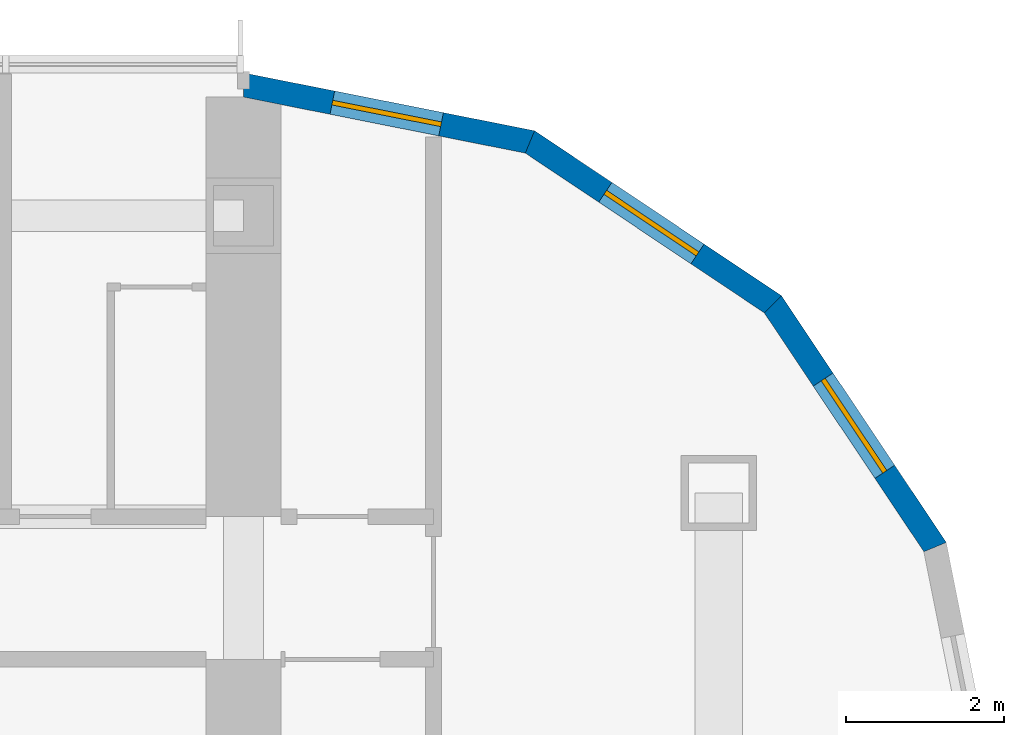
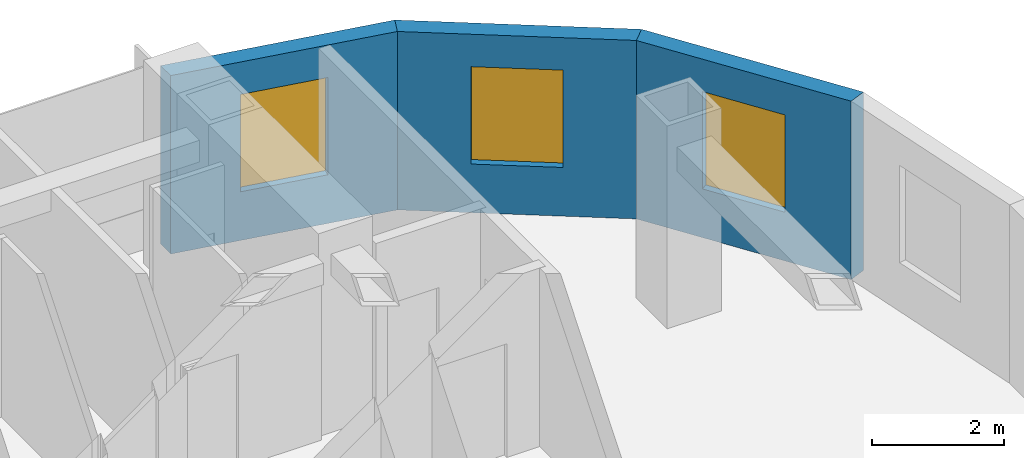
# One storey, part 16 of 21: 3 walls, 3 windows, 3 openings.
"""IFC4 building model written with IfcOpenShell, lengths in metres."""

from ifc_helpers import new_model, si_unit, direction, frame, frame_2d, origin, place, context, subcontext, project, spatial, polyline, rectangle, outline, extrude, material, layer, layer_set, type_object, element, fill, save


model = new_model("IFC4")

# Units and contexts
model_context = context("Model", 3, precision=1e-05, world=origin(), true_north=direction((0.0, 1.0)))
body_context = subcontext(model_context, "Body", "Model", "MODEL_VIEW")
ifc_project = project(units=[si_unit("LENGTHUNIT", "METRE"), si_unit("AREAUNIT", "SQUARE_METRE"), si_unit("VOLUMEUNIT", "CUBIC_METRE"), si_unit("PLANEANGLEUNIT", "RADIAN"), si_unit("MASSUNIT", "GRAM", prefix="KILO")], contexts=[model_context])

# Site, building, storey
site_placement = place(None, origin())
site = spatial("IfcSite", under=ifc_project, at=site_placement, CompositionType="ELEMENT")
building_placement = place(site_placement, origin())
building = spatial("IfcBuilding", under=site, at=building_placement, Name="Orbita Commons", CompositionType="ELEMENT")
storey_placement = place(building_placement, frame((0.0, 0.0, 110.64990234375)))
storey = spatial("IfcBuildingStorey", under=building, at=storey_placement, Name="L27", CompositionType="ELEMENT", Elevation=110.64990234375)

# Wall, opening, window
ifc_material_1 = material(Name="Precast concrete C40/50, white board-marked finish", Category="concrete")
ifc_layer = layer(ifc_material_1, 0.300048828125)
ifc_layer_set = layer_set([ifc_layer], Name="Precast concrete C40/50, white board-marked finish")
wall_type = type_object("IfcWallType", Name="Precast concrete end shield 300", PredefinedType="SOLIDWALL", material=ifc_layer_set)
wall_1_placement = place(storey_placement, frame((74.730712890625, 49.41650390625, 0.0), z_axis=(0.0, 0.0, 1.0), x_axis=(-0.555601399253, 0.831448786846, 0.0)))
wall_1 = element("IfcWall", 1, at=wall_1_placement, inside=storey, type_object=wall_type, Name="End shield NE chord 2 L27", PredefinedType="SOLIDWALL", context=body_context, shape_type="SweptSolid", body=[
    extrude(outline(polyline([(-0.02978515625, -0.14990234375), (3.717041015625, -0.14990234375), (3.657470703125, 0.14990234375), (0.02978515625, 0.14990234375), (-0.02978515625, -0.14990234375)])), origin(), (0.0, 0.0, 1.0), 3.300048828125),
])
opening_1_placement = place(wall_1_placement, frame((1.1435546875, 0.0, 0.89990234375)))
opening_1 = element("IfcOpeningElement", 2, at=opening_1_placement, cuts=wall_1, Name="Opening W02", PredefinedType="OPENING", context=body_context, shape_type="SweptSolid", body=[
    extrude(rectangle(XDim=1.39990234375, YDim=1.800048828125, at=frame_2d((0.699951171875, 0.89990234375))), frame((0.0, 0.159912109375, 0.0), z_axis=(0.0, -1.0, 0.0), x_axis=(1.0, 0.0, 0.0)), (0.0, 0.0, 1.0), 0.320068359375),
])
ifc_material_2 = material(Name="Aluminium frame, clear double glazing", Category="aluminium")
window_type = type_object("IfcWindowType", Name="Deep-set window 1400x1800", PartitioningType="SINGLE_PANEL", PredefinedType="WINDOW", material=ifc_material_2)
window_1_placement = place(opening_1_placement, origin())
window_1 = element("IfcWindow", 3, at=window_1_placement, inside=storey, type_object=window_type, Name="Window L27-NE1", OverallHeight=1.800048828125, OverallWidth=1.39990234375, PartitioningType="SINGLE_PANEL", PredefinedType="WINDOW", context=body_context, shape_type="SweptSolid", body=[
    extrude(rectangle(XDim=1.39990234375, YDim=1.800048828125, at=frame_2d((0.699951171875, 0.89990234375))), frame((0.0, 0.030029296875, 0.0), z_axis=(0.0, -1.0, 0.0), x_axis=(1.0, 0.0, 0.0)), (0.0, 0.0, 1.0), 0.06005859375),
])
fill(opening_1, window_1)

wall_2_placement = place(storey_placement, frame((72.68212890625, 52.482177734375, 0.0), z_axis=(0.0, 0.0, 1.0), x_axis=(-0.831448786846, 0.555601399253, 0.0)))
wall_2 = element("IfcWall", 4, at=wall_2_placement, inside=storey, type_object=wall_type, Name="End shield NE chord 3 L27", PredefinedType="SOLIDWALL", context=body_context, shape_type="SweptSolid", body=[
    extrude(outline(polyline([(-0.02978515625, -0.14990234375), (3.717041015625, -0.14990234375), (3.657470703125, 0.14990234375), (0.02978515625, 0.14990234375), (-0.02978515625, -0.14990234375)])), origin(), (0.0, 0.0, 1.0), 3.300048828125),
])
opening_2_placement = place(wall_2_placement, frame((1.1435546875, 0.0, 0.89990234375)))
opening_2 = element("IfcOpeningElement", 5, at=opening_2_placement, cuts=wall_2, Name="Opening W02", PredefinedType="OPENING", context=body_context, shape_type="SweptSolid", body=[
    extrude(rectangle(XDim=1.39990234375, YDim=1.800048828125, at=frame_2d((0.699951171875, 0.89990234375))), frame((0.0, 0.159912109375, 0.0), z_axis=(0.0, -1.0, 0.0), x_axis=(1.0, 0.0, 0.0)), (0.0, 0.0, 1.0), 0.320068359375),
])
window_2_placement = place(opening_2_placement, origin())
window_2 = element("IfcWindow", 6, at=window_2_placement, inside=storey, type_object=window_type, Name="Window L27-NE2", OverallHeight=1.800048828125, OverallWidth=1.39990234375, PartitioningType="SINGLE_PANEL", PredefinedType="WINDOW", context=body_context, shape_type="SweptSolid", body=[
    extrude(rectangle(XDim=1.39990234375, YDim=1.800048828125, at=frame_2d((0.699951171875, 0.89990234375))), frame((0.0, 0.030029296875, 0.0), z_axis=(0.0, -1.0, 0.0), x_axis=(1.0, 0.0, 0.0)), (0.0, 0.0, 1.0), 0.06005859375),
])
fill(opening_2, window_2)

wall_3_placement = place(storey_placement, frame((69.616455078125, 54.53076171875, 0.0), z_axis=(0.0, 0.0, 1.0), x_axis=(-0.980791473772, 0.195059183267, 0.0)))
wall_3 = element("IfcWall", 7, at=wall_3_placement, inside=storey, type_object=wall_type, Name="End shield NE chord 4 L27", PredefinedType="SOLIDWALL", context=body_context, shape_type="SweptSolid", body=[
    extrude(outline(polyline([(-0.02978515625, -0.14990234375), (3.717041015625, -0.14990234375), (3.657470703125, 0.14990234375), (0.02978515625, 0.14990234375), (-0.02978515625, -0.14990234375)])), origin(), (0.0, 0.0, 1.0), 3.300048828125),
])
opening_3_placement = place(wall_3_placement, frame((1.1435546875, 0.0, 0.89990234375)))
opening_3 = element("IfcOpeningElement", 8, at=opening_3_placement, cuts=wall_3, Name="Opening W02", PredefinedType="OPENING", context=body_context, shape_type="SweptSolid", body=[
    extrude(rectangle(XDim=1.39990234375, YDim=1.800048828125, at=frame_2d((0.699951171875, 0.89990234375))), frame((0.0, 0.159912109375, 0.0), z_axis=(0.0, -1.0, 0.0), x_axis=(1.0, 0.0, 0.0)), (0.0, 0.0, 1.0), 0.320068359375),
])
window_3_placement = place(opening_3_placement, origin())
window_3 = element("IfcWindow", 9, at=window_3_placement, inside=storey, type_object=window_type, Name="Window L27-NE3", OverallHeight=1.800048828125, OverallWidth=1.39990234375, PartitioningType="SINGLE_PANEL", PredefinedType="WINDOW", context=body_context, shape_type="SweptSolid", body=[
    extrude(rectangle(XDim=1.39990234375, YDim=1.800048828125, at=frame_2d((0.699951171875, 0.89990234375))), frame((0.0, 0.030029296875, 0.0), z_axis=(0.0, -1.0, 0.0), x_axis=(1.0, 0.0, 0.0)), (0.0, 0.0, 1.0), 0.06005859375),
])
fill(opening_3, window_3)

save(model, "model.ifc")
